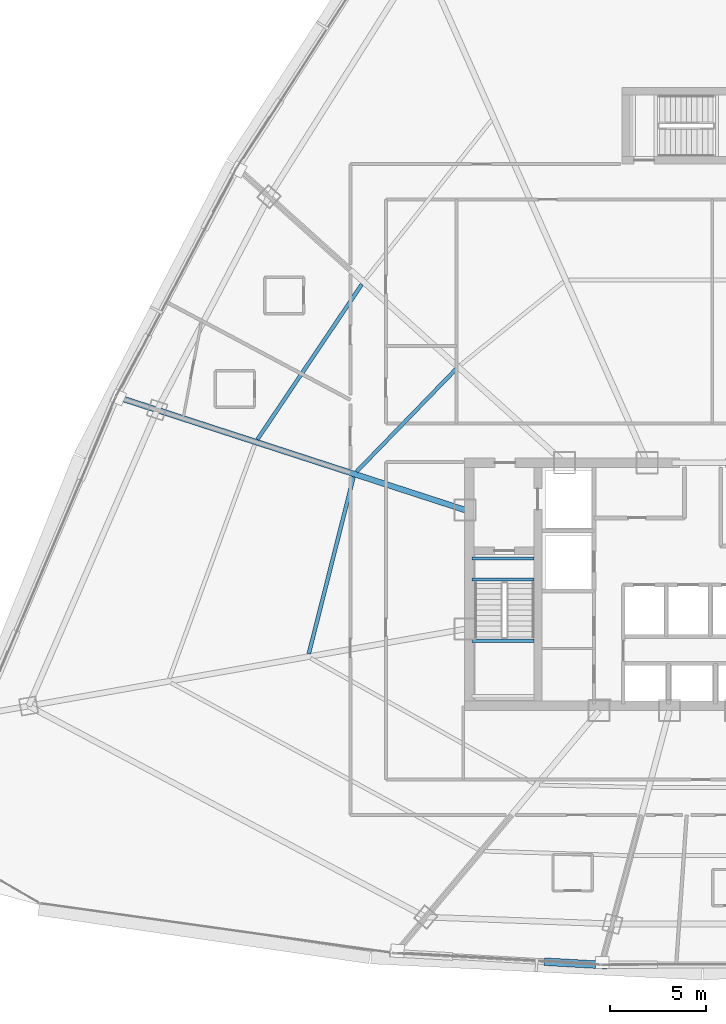
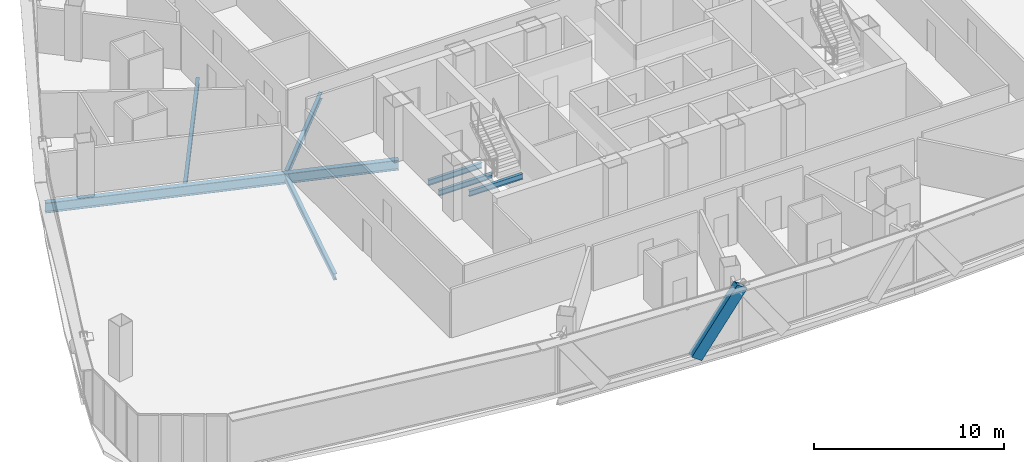
# One storey, part 9 of 40: 7 beams, 1 member.
"""IFC4 building model written with IfcOpenShell, lengths in metres."""

from ifc_helpers import new_model, si_unit, direction, frame, origin, origin_2d, place, context, subcontext, project, spatial, hollow_rectangle, i_section, extrude, source, transform, mapped, material, material_profile, profile_set, type_object, element, save


model = new_model("IFC4")

# Units and contexts
model_context = context("Model", 3, precision=1e-05, world=origin(), true_north=direction((0.0, 1.0)))
body_context = subcontext(model_context, "Body", "Model", "MODEL_VIEW")
ifc_project = project(units=[si_unit("LENGTHUNIT", "METRE"), si_unit("AREAUNIT", "SQUARE_METRE"), si_unit("VOLUMEUNIT", "CUBIC_METRE"), si_unit("PLANEANGLEUNIT", "RADIAN"), si_unit("MASSUNIT", "GRAM", prefix="KILO"), si_unit("THERMODYNAMICTEMPERATUREUNIT", "KELVIN"), si_unit("POWERUNIT", "WATT")], contexts=[model_context])

# Site, building, storey
site_placement = place(None, origin())
site = spatial("IfcSite", under=ifc_project, at=site_placement, CompositionType="ELEMENT")
building_placement = place(site_placement, origin())
building = spatial("IfcBuilding", under=site, at=building_placement, Name="Yunzhuo Pagoda Commons", CompositionType="ELEMENT")
storey_placement = place(building_placement, frame((0.0, 0.0, 188.56005859375)))
storey = spatial("IfcBuildingStorey", under=building, at=storey_placement, Name="L47", CompositionType="ELEMENT", Elevation=188.56005859375)

# Beams
ifc_material = material(Name="Structural steel Q355B", Category="steel")
ifc_material_profile_1 = material_profile(ifc_material, i_section(OverallWidth=0.175048828125, OverallDepth=0.35009765625, WebThickness=0.007080078125, FlangeThickness=0.010986328125, at=origin_2d()), Name="Structural steel Q355B")
ifc_profile_set_1 = profile_set([ifc_material_profile_1], Name="Structural steel Q355B")
beam_type_1 = type_object("IfcBeamType", Name="B-JS2 Joist HN 350x175x7x11", PredefinedType="JOIST", material=ifc_profile_set_1)
shared_shape_1 = source(origin(), body_context, "Body", "SweptSolid", [
    extrude(i_section(OverallWidth=0.175048828125, OverallDepth=0.35009765625, WebThickness=0.007080078125, FlangeThickness=0.010986328125, at=origin_2d()), origin(), (0.0, 0.0, 1.0), 3.25),
])
for number, where, z_axis, x_axis, name in (
    (1, (35.949951171875, 30.89990234375, 1.52490234375), (1.0, 0.0, 0.0), (0.0, 1.0, 0.0), "L47 ST1 landing support beam 53B"),
    (2, (35.949951171875, 34.10009765625, -0.375), (1.0, 0.0, 0.0), (0.0, 1.0, 0.0), "L47 ST1 landing support beam 151A"),
    (3, (35.949951171875, 35.199951171875, -0.375), (1.0, 0.0, 0.0), (0.0, 1.0, 0.0), "L47 ST1 landing support beam 151B"),
):
    element("IfcBeam", number, at=place(storey_placement, frame(where, z_axis=z_axis, x_axis=x_axis)), inside=storey, type_object=beam_type_1, Name=name, PredefinedType="JOIST", context=body_context, shape_type="MappedRepresentation", body=[
        mapped(shared_shape_1, transform((0.0, 0.0, 0.0), scale=1.0)),
    ])
ifc_material_profile_2 = material_profile(ifc_material, i_section(OverallWidth=0.300048828125, OverallDepth=0.64990234375, WebThickness=0.012939453125, FlangeThickness=0.02197265625, at=origin_2d()), Name="Structural steel Q355B")
ifc_profile_set_2 = profile_set([ifc_material_profile_2], Name="Structural steel Q355B")
beam_type_2 = type_object("IfcBeamType", Name="B-RG2 Beam HN 650x300x13x22", PredefinedType="BEAM", material=ifc_profile_set_2)
shared_shape_2 = source(origin(), body_context, "Body", "SweptSolid", [
    extrude(i_section(OverallWidth=0.300048828125, OverallDepth=0.64990234375, WebThickness=0.012939453125, FlangeThickness=0.02197265625, at=origin_2d()), origin(), (0.0, 0.0, 1.0), 19.029296875),
])
beam_1_placement = place(storey_placement, frame((17.502197265625, 43.609375, -0.5849609375), z_axis=(0.95105641133, -0.309017317424, 0.0), x_axis=(0.309017317424, 0.95105641133, 0.0)))
element("IfcBeam", 4, at=beam_1_placement, inside=storey, type_object=beam_type_2, Name="L47 radial floor girder F3C3", PredefinedType="BEAM", context=body_context, shape_type="MappedRepresentation", body=[
    mapped(shared_shape_2, transform((0.0, 0.0, 0.0), scale=1.0)),
])
ifc_material_profile_3 = material_profile(ifc_material, i_section(OverallWidth=0.199951171875, OverallDepth=0.39990234375, WebThickness=0.008056640625, FlangeThickness=0.012939453125, at=origin_2d()), Name="Structural steel Q355B")
ifc_profile_set_3 = profile_set([ifc_material_profile_3], Name="Structural steel Q355B")
beam_type_3 = type_object("IfcBeamType", Name="B-JS1 Joist HN 400x200x8x13", PredefinedType="JOIST", material=ifc_profile_set_3)
shared_shape_3 = source(origin(), body_context, "Body", "SweptSolid", [
    extrude(i_section(OverallWidth=0.199951171875, OverallDepth=0.39990234375, WebThickness=0.008056640625, FlangeThickness=0.012939453125, at=origin_2d()), origin(), (0.0, 0.0, 1.0), 9.529052734375),
])
beam_2_placement = place(storey_placement, frame((29.766845703125, 39.457763671875, -0.4599609375), z_axis=(-0.245367921097, -0.969430030119, 0.0), x_axis=(0.969430030119, -0.245367921097, 0.0)))
element("IfcBeam", 5, at=beam_2_placement, inside=storey, type_object=beam_type_3, Name="L47 composite ring joist 1.11", PredefinedType="JOIST", context=body_context, shape_type="MappedRepresentation", body=[
    mapped(shared_shape_3, transform((0.0, 0.0, 0.0), scale=1.0)),
])
shared_shape_4 = source(origin(), body_context, "Body", "SweptSolid", [
    extrude(i_section(OverallWidth=0.199951171875, OverallDepth=0.39990234375, WebThickness=0.008056640625, FlangeThickness=0.012939453125, at=origin_2d()), origin(), (0.0, 0.0, 1.0), 7.46826171875),
])
beam_3_placement = place(storey_placement, frame((35.114990234375, 45.087890625, -0.4599609375), z_axis=(-0.696070782679, -0.717973164889, 0.0), x_axis=(0.717973164889, -0.696070782679, 0.0)))
element("IfcBeam", 6, at=beam_3_placement, inside=storey, type_object=beam_type_3, Name="L47 composite ring joist 1.10", PredefinedType="JOIST", context=body_context, shape_type="MappedRepresentation", body=[
    mapped(shared_shape_4, transform((0.0, 0.0, 0.0), scale=1.0)),
])
shared_shape_5 = source(origin(), body_context, "Body", "SweptSolid", [
    extrude(i_section(OverallWidth=0.199951171875, OverallDepth=0.39990234375, WebThickness=0.008056640625, FlangeThickness=0.012939453125, at=origin_2d()), origin(), (0.0, 0.0, 1.0), 9.764892578125),
])
beam_4_placement = place(storey_placement, frame((30.198486328125, 49.5166015625, -0.4599609375), z_axis=(-0.558548425455, -0.829471914185, 0.0), x_axis=(0.829471914185, -0.558548425455, 0.0)))
element("IfcBeam", 7, at=beam_4_placement, inside=storey, type_object=beam_type_3, Name="L47 composite ring joist 2.10", PredefinedType="JOIST", context=body_context, shape_type="MappedRepresentation", body=[
    mapped(shared_shape_5, transform((0.0, 0.0, 0.0), scale=1.0)),
])

# Member
ifc_material_profile_4 = material_profile(ifc_material, hollow_rectangle(XDim=0.39990234375, YDim=0.719970703125, WallThickness=0.02392578125, at=origin_2d()), Name="Structural steel Q355B")
ifc_profile_set_4 = profile_set([ifc_material_profile_4], Name="Structural steel Q355B")
member_type = type_object("IfcMemberType", Name="M-DL2 Brace BOX 720x400x24", PredefinedType="BRACE", material=ifc_profile_set_4)
shared_shape_6 = source(origin(), body_context, "Body", "SweptSolid", [
    extrude(hollow_rectangle(XDim=0.39990234375, YDim=0.719970703125, WallThickness=0.02392578125, at=origin_2d()), origin(), (0.0, 0.0, 1.0), 4.658447265625),
])
member_placement = place(storey_placement, frame((40.023193359375, 14.12158203125, -0.260009765625), z_axis=(0.577496412449, -0.03244126321, 0.815748403645), x_axis=(0.056087268686, 0.998425870203, 0.0)))
element("IfcMember", 8, at=member_placement, inside=storey, type_object=member_type, Name="L47 facade diamond brace F1.1R", PredefinedType="BRACE", context=body_context, shape_type="MappedRepresentation", body=[
    mapped(shared_shape_6, transform((0.0, 0.0, 0.0), scale=1.0)),
])

save(model, "model.ifc")
